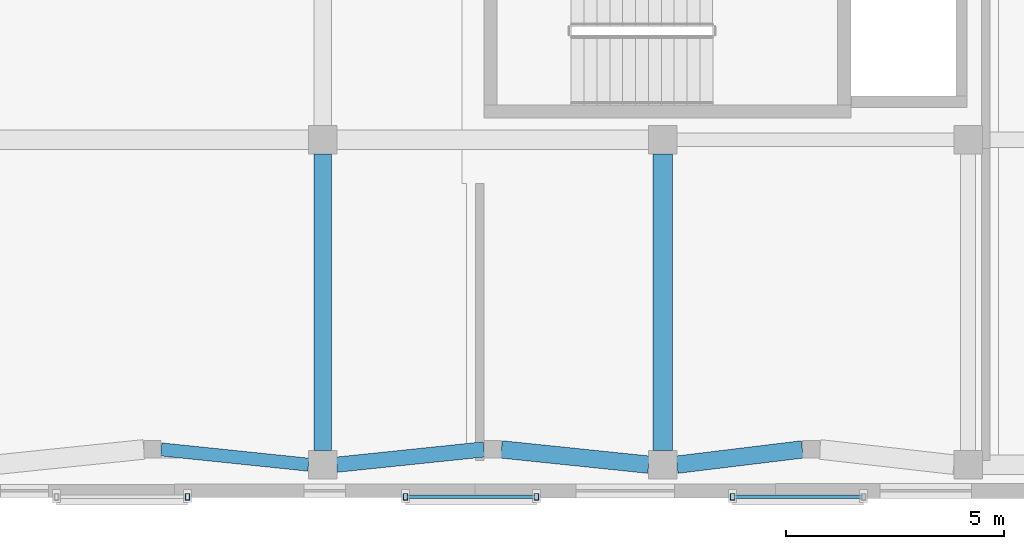
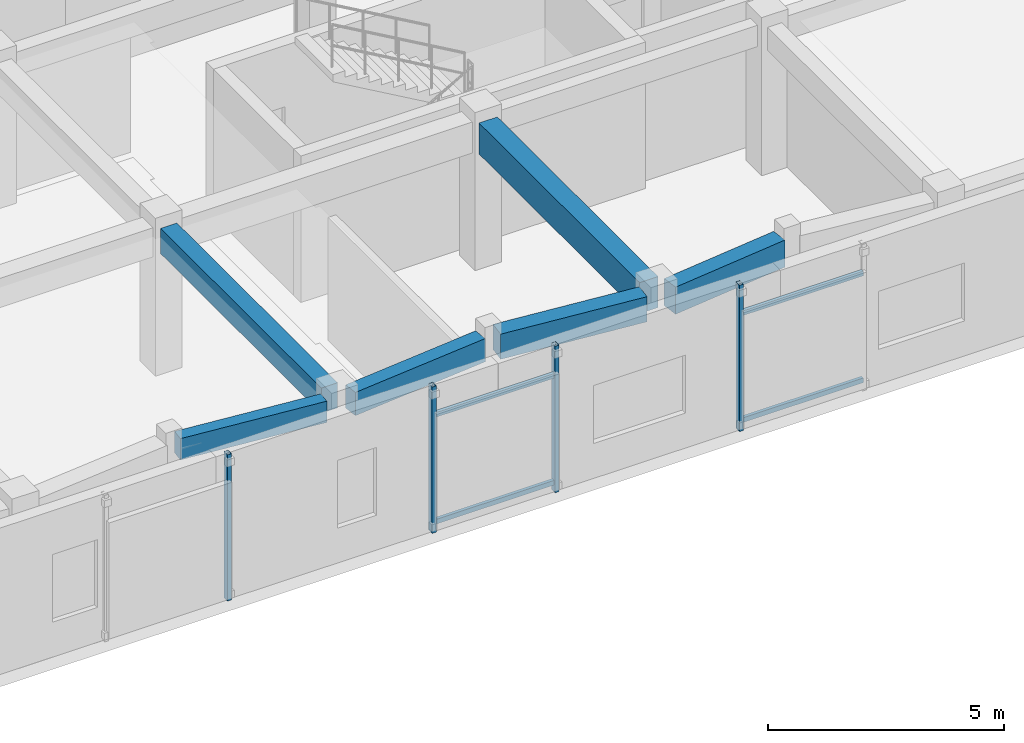
# One storey, part 50 of 146: 8 members, 6 beams.
"""IFC4 building model written with IfcOpenShell, lengths in metres."""

from ifc_helpers import new_model, si_unit, direction, frame, origin, origin_2d, place, context, subcontext, project, spatial, rectangle, hollow_rectangle, extrude, material, material_profile, profile_set, type_object, element, save


model = new_model("IFC4")

# Units and contexts
model_context = context("Model", 3, precision=1e-05, world=origin(), true_north=direction((0.0, 1.0)))
body_context = subcontext(model_context, "Body", "Model", "MODEL_VIEW")
ifc_project = project(units=[si_unit("LENGTHUNIT", "METRE"), si_unit("AREAUNIT", "SQUARE_METRE"), si_unit("VOLUMEUNIT", "CUBIC_METRE"), si_unit("PLANEANGLEUNIT", "RADIAN"), si_unit("MASSUNIT", "GRAM", prefix="KILO")], contexts=[model_context])

# Site, building, storey
site_placement = place(None, origin())
site = spatial("IfcSite", under=ifc_project, at=site_placement, CompositionType="ELEMENT")
building_placement = place(site_placement, origin())
building = spatial("IfcBuilding", under=site, at=building_placement, Name="Valcora Specialist Clinic", CompositionType="ELEMENT")
storey_placement = place(building_placement, frame((0.0, 0.0, 9.52001953125)))
storey = spatial("IfcBuildingStorey", under=building, at=storey_placement, Name="L02", CompositionType="ELEMENT", Elevation=9.52001953125)

# Beams
ifc_material_1 = material(Name="Concrete C40/50", Category="concrete")
ifc_material_profile_1 = material_profile(ifc_material_1, rectangle(XDim=0.300048828125, YDim=0.550048828125, at=origin_2d()), Name="RC-BM-300X550")
ifc_profile_set_1 = profile_set([ifc_material_profile_1], Name="Concrete C40/50")
beam_type_1 = type_object("IfcBeamType", Name="TY-BM-RC300X550", PredefinedType="BEAM", material=ifc_profile_set_1)
beam_1_placement = place(storey_placement, frame((80.89990234375, 1.10009765625, 3.5048828125), z_axis=(0.994662804408, -0.103178997506, 0.0), x_axis=(0.103178997506, 0.994662804408, 0.0)))
element("IfcBeam", 1, at=beam_1_placement, inside=storey, type_object=beam_type_1, Name="Beam BM-L02-1363", PredefinedType="BEAM", context=body_context, shape_type="SweptSolid", body=[
    extrude(rectangle(XDim=0.300048828125, YDim=0.550048828125, at=origin_2d()), origin(), (0.0, 0.0, 1.0), 3.39306640625),
])
ifc_material_profile_2 = material_profile(ifc_material_1, rectangle(XDim=0.35009765625, YDim=0.60009765625, at=origin_2d()), Name="RC-BM-350X600")
ifc_profile_set_2 = profile_set([ifc_material_profile_2], Name="Concrete C40/50")
beam_type_2 = type_object("IfcBeamType", Name="TY-BM-RC350X600", PredefinedType="BEAM", material=ifc_profile_set_2)
beam_2_placement = place(storey_placement, frame((84.925048828125, 0.75, 3.47998046875), z_axis=(0.994662804408, 0.103178997506, 0.0), x_axis=(-0.103178997506, 0.994662804408, 0.0)))
element("IfcBeam", 2, at=beam_2_placement, inside=storey, type_object=beam_type_2, Name="Beam BM-L02-1364", PredefinedType="BEAM", context=body_context, shape_type="SweptSolid", body=[
    extrude(rectangle(XDim=0.35009765625, YDim=0.60009765625, at=origin_2d()), origin(), (0.0, 0.0, 1.0), 3.39306640625),
])
ifc_material_profile_3 = material_profile(ifc_material_1, rectangle(XDim=0.39990234375, YDim=0.64990234375, at=origin_2d()), Name="RC-BM-400X650")
ifc_profile_set_3 = profile_set([ifc_material_profile_3], Name="Concrete C40/50")
beam_type_3 = type_object("IfcBeamType", Name="TY-BM-RC400X650", PredefinedType="BEAM", material=ifc_profile_set_3)
beam_3_placement = place(storey_placement, frame((88.699951171875, 1.10009765625, 3.455078125), z_axis=(0.994662804408, -0.103178997506, 0.0), x_axis=(0.103178997506, 0.994662804408, 0.0)))
element("IfcBeam", 3, at=beam_3_placement, inside=storey, type_object=beam_type_3, Name="Beam BM-L02-1365", PredefinedType="BEAM", context=body_context, shape_type="SweptSolid", body=[
    extrude(rectangle(XDim=0.39990234375, YDim=0.64990234375, at=origin_2d()), origin(), (0.0, 0.0, 1.0), 3.39306640625),
])
beam_4_placement = place(storey_placement, frame((84.60009765625, 1.074951171875, 3.455078125), z_axis=(0.0, 1.0, 0.0), x_axis=(-1.0, 0.0, 0.0)))
element("IfcBeam", 4, at=beam_4_placement, inside=storey, type_object=beam_type_3, Name="Beam BM-L02-1405", PredefinedType="BEAM", context=body_context, shape_type="SweptSolid", body=[
    extrude(rectangle(XDim=0.39990234375, YDim=0.64990234375, at=origin_2d()), origin(), (0.0, 0.0, 1.0), 6.800048828125),
])
ifc_material_profile_4 = material_profile(ifc_material_1, rectangle(XDim=0.39990234375, YDim=0.699951171875, at=origin_2d()), Name="RC-BM-400X700")
ifc_profile_set_4 = profile_set([ifc_material_profile_4], Name="Concrete C40/50")
beam_type_4 = type_object("IfcBeamType", Name="TY-BM-RC400X700", PredefinedType="BEAM", material=ifc_profile_set_4)
beam_5_placement = place(storey_placement, frame((92.72509765625, 0.75, 3.429931640625), z_axis=(0.992667109146, 0.120880148991, 0.0), x_axis=(-0.120880148991, 0.992667109146, 0.0)))
element("IfcBeam", 5, at=beam_5_placement, inside=storey, type_object=beam_type_4, Name="Beam BM-L02-1366", PredefinedType="BEAM", context=body_context, shape_type="SweptSolid", body=[
    extrude(rectangle(XDim=0.39990234375, YDim=0.699951171875, at=origin_2d()), origin(), (0.0, 0.0, 1.0), 2.896240234375),
])
ifc_material_profile_5 = material_profile(ifc_material_1, rectangle(XDim=0.449951171875, YDim=0.800048828125, at=origin_2d()), Name="RC-BM-450X800")
ifc_profile_set_5 = profile_set([ifc_material_profile_5], Name="Concrete C40/50")
beam_type_5 = type_object("IfcBeamType", Name="TY-BM-RC450X800", PredefinedType="BEAM", material=ifc_profile_set_5)
beam_6_placement = place(storey_placement, frame((92.39990234375, 1.074951171875, 3.3798828125), z_axis=(0.0, 1.0, 0.0), x_axis=(-1.0, 0.0, 0.0)))
element("IfcBeam", 6, at=beam_6_placement, inside=storey, type_object=beam_type_5, Name="Beam BM-L02-1408", PredefinedType="BEAM", context=body_context, shape_type="SweptSolid", body=[
    extrude(rectangle(XDim=0.449951171875, YDim=0.800048828125, at=origin_2d()), origin(), (0.0, 0.0, 1.0), 6.800048828125),
])

# Members
ifc_material_2 = material(Name="Steel ASTM A500 Grade C", Category="steel")
ifc_material_profile_6 = material_profile(ifc_material_2, hollow_rectangle(XDim=0.10009765625, YDim=0.14990234375, WallThickness=0.006103515625, at=origin_2d()), Name="ST-RHS-150X100X6")
ifc_profile_set_6 = profile_set([ifc_material_profile_6], Name="Steel ASTM A500 Grade C")
member_type_1 = type_object("IfcMemberType", Name="TY-MB-SFPOST", PredefinedType="POST", material=ifc_profile_set_6)
for number, where, z_axis, x_axis, name in (
    (7, (81.5, 0.010009765625, 0.0), (0.0, 0.0, 1.0), (1.0, 0.0, 0.0), "Brick screen carrier post 110"),
    (8, (86.5, 0.010009765625, 0.0), (0.0, 0.0, 1.0), (1.0, 0.0, 0.0), "Brick screen carrier post 113"),
    (9, (89.5, 0.010009765625, 0.0), (0.0, 0.0, 1.0), (1.0, 0.0, 0.0), "Brick screen carrier post 114"),
    (10, (94.0, 0.010009765625, 0.0), (0.0, 0.0, 1.0), (1.0, 0.0, 0.0), "Brick screen carrier post 117"),
):
    element("IfcMember", number, at=place(storey_placement, frame(where, z_axis=z_axis, x_axis=x_axis)), inside=storey, type_object=member_type_1, Name=name, PredefinedType="POST", context=body_context, shape_type="SweptSolid", body=[
        extrude(hollow_rectangle(XDim=0.10009765625, YDim=0.14990234375, WallThickness=0.006103515625, at=origin_2d()), origin(), (0.0, 0.0, 1.0), 3.780029296875),
    ])
ifc_material_profile_7 = material_profile(ifc_material_2, hollow_rectangle(XDim=0.080078125, YDim=0.1201171875, WallThickness=0.0048828125, at=origin_2d()), Name="ST-RHS-120X80X5")
ifc_profile_set_7 = profile_set([ifc_material_profile_7], Name="Steel ASTM A500 Grade C")
member_type_2 = type_object("IfcMemberType", Name="TY-MB-SFRAIL", PredefinedType="STRINGER", material=ifc_profile_set_7)
for number, where, z_axis, x_axis, name in (
    (11, (86.5, 0.010009765625, 0.239990234375), (1.0, 0.0, 0.0), (0.0, 1.0, 0.0), "Brick screen carrier rail 115"),
    (12, (86.5, 0.010009765625, 3.0), (1.0, 0.0, 0.0), (0.0, 1.0, 0.0), "Brick screen carrier rail 116"),
    (13, (94.0, 0.010009765625, 0.239990234375), (1.0, 0.0, 0.0), (0.0, 1.0, 0.0), "Brick screen carrier rail 119"),
    (14, (94.0, 0.010009765625, 3.0), (1.0, 0.0, 0.0), (0.0, 1.0, 0.0), "Brick screen carrier rail 120"),
):
    element("IfcMember", number, at=place(storey_placement, frame(where, z_axis=z_axis, x_axis=x_axis)), inside=storey, type_object=member_type_2, Name=name, PredefinedType="STRINGER", context=body_context, shape_type="SweptSolid", body=[
        extrude(hollow_rectangle(XDim=0.080078125, YDim=0.1201171875, WallThickness=0.0048828125, at=origin_2d()), origin(), (0.0, 0.0, 1.0), 3.0),
    ])

save(model, "model.ifc")
